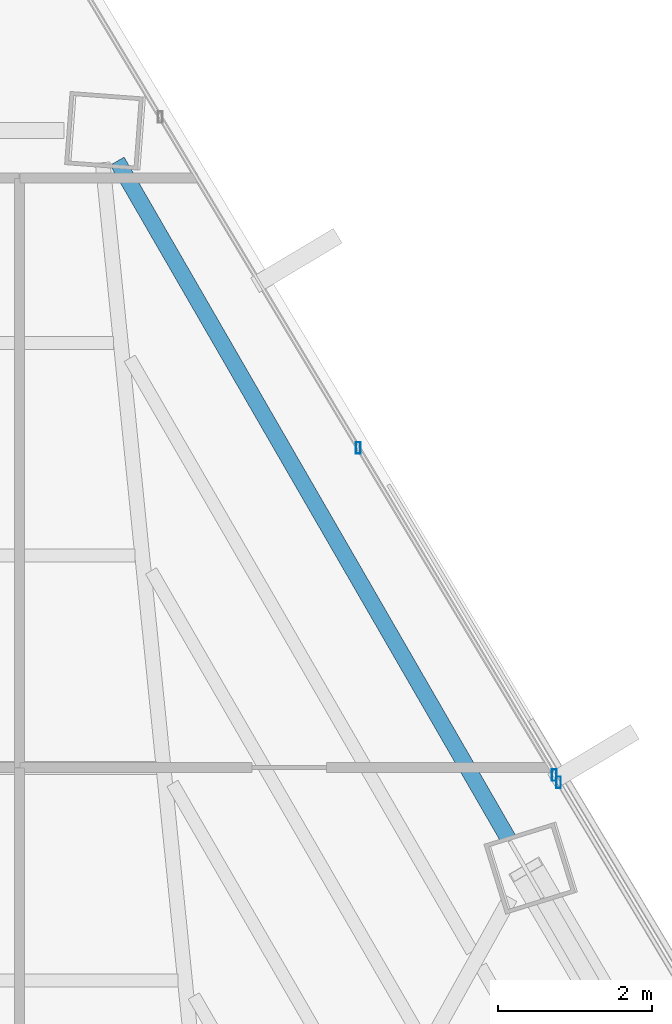
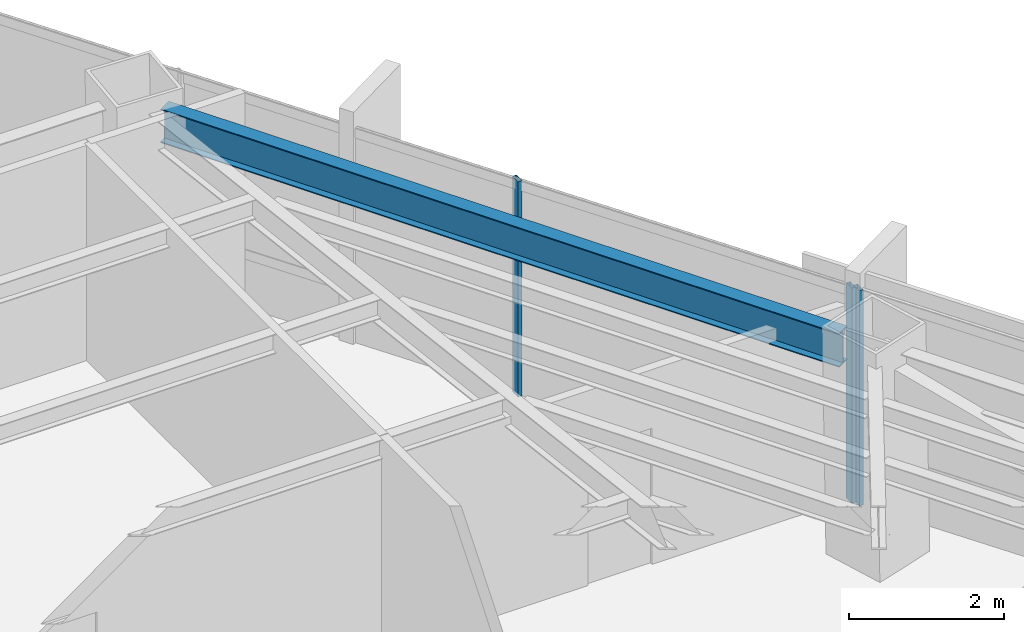
# One storey, part 32 of 41: 3 members, 1 beam, 2 elements without a shape of their own.
"""IFC4 building model written with IfcOpenShell, lengths in metres."""

from ifc_helpers import new_model, si_unit, direction, frame, origin, origin_2d, place, context, subcontext, project, spatial, hollow_rectangle, i_section, extrude, source, transform, mapped, material, material_profile, profile_set, type_object, type_shapes, element, aggregate, save


model = new_model("IFC4")

# Units and contexts
model_context = context("Model", 3, precision=1e-05, world=origin(), true_north=direction((0.0, 1.0)))
body_context = subcontext(model_context, "Body", "Model", "MODEL_VIEW")
ifc_project = project(units=[si_unit("LENGTHUNIT", "METRE"), si_unit("AREAUNIT", "SQUARE_METRE"), si_unit("VOLUMEUNIT", "CUBIC_METRE"), si_unit("PLANEANGLEUNIT", "RADIAN"), si_unit("MASSUNIT", "GRAM", prefix="KILO")], contexts=[model_context])

# Site, building, storey
site_placement = place(None, origin())
site = spatial("IfcSite", under=ifc_project, at=site_placement, CompositionType="ELEMENT")
building_placement = place(site_placement, origin())
building = spatial("IfcBuilding", under=site, at=building_placement, Name="Caelisora Broadcast Tower", CompositionType="ELEMENT")
storey_placement = place(building_placement, frame((0.0, 0.0, 169.449951171875)))
storey = spatial("IfcBuildingStorey", under=building, at=storey_placement, Name="L44", CompositionType="ELEMENT", Elevation=169.449951171875)

# Beam
ifc_material_1 = material(Name="Steel Grade 350 (AS/NZS 3679.1)", Category="steel")
ifc_material_profile_1 = material_profile(ifc_material_1, i_section(OverallWidth=0.208984375, OverallDepth=0.532958984375, WebThickness=0.01025390625, FlangeThickness=0.015625, at=origin_2d()), Name="Steel Grade 350 (AS/NZS 3679.1)")
ifc_profile_set_1 = profile_set([ifc_material_profile_1], Name="Steel Grade 350 (AS/NZS 3679.1)")
beam_type = type_object("IfcBeamType", Name="PG05", PredefinedType="BEAM", material=ifc_profile_set_1)
shared_shape_1 = source(origin(), body_context, "Body", "SweptSolid", [
    extrude(i_section(OverallWidth=0.208984375, OverallDepth=0.532958984375, WebThickness=0.01025390625, FlangeThickness=0.015625, at=origin_2d()), origin(), (0.0, 0.0, 1.0), 10.14111328125),
])
type_shapes(beam_type, [shared_shape_1])
beam_placement = place(storey_placement, frame((49.136474609375, 37.34716796875, 3.133544921875), z_axis=(-0.499999616612, 0.866025625133, 0.0), x_axis=(-0.866025625133, -0.499999616612, 0.0)))
element("IfcBeam", 1, at=beam_placement, inside=storey, type_object=beam_type, Name="L44 beam PG05", PredefinedType="BEAM", context=body_context, shape_type="MappedRepresentation", body=[
    mapped(shared_shape_1, transform((0.0, 0.0, 0.0), scale=1.0)),
])

# Curtain wall, members
ifc_material_2 = material(Name="Unitised Aluminium and Low-E Glass Curtain Wall", Category="glass")
curtain_wall_type_1 = type_object("IfcCurtainWallType", Name="CW-Z3", PredefinedType="NOTDEFINED", material=ifc_material_2)
curtain_wall_1_placement = place(storey_placement, origin())
curtain_wall_1 = element("IfcCurtainWall", 2, at=curtain_wall_1_placement, inside=storey, type_object=curtain_wall_type_1, Name="L44 curtain wall CW-Z3", PredefinedType="NOTDEFINED")
ifc_material_3 = material(Name="Aluminium 6063-T6 Anodised Terracotta Bronze", Category="aluminium")
ifc_material_profile_2 = material_profile(ifc_material_3, hollow_rectangle(XDim=0.06005859375, YDim=0.14990234375, WallThickness=0.00341796875, at=origin_2d()), Name="Aluminium 6063-T6 Anodised Terracotta Bronze")
ifc_profile_set_2 = profile_set([ifc_material_profile_2], Name="Aluminium 6063-T6 Anodised Terracotta Bronze")
member_type = type_object("IfcMemberType", Name="CWM-03", PredefinedType="MULLION", material=ifc_profile_set_2)
shared_shape_2 = source(origin(), body_context, "Body", "SweptSolid", [
    extrude(hollow_rectangle(XDim=0.06005859375, YDim=0.14990234375, WallThickness=0.00341796875, at=origin_2d()), origin(), (0.0, 0.0, 1.0), 3.400146484375),
])
type_shapes(member_type, [shared_shape_2])
member_1_placement = place(storey_placement, frame((47.1904296875, 42.414794921875, 0.0), z_axis=(0.0, 0.0, 1.0), x_axis=(1.0, 0.0, 0.0)))
member_1 = element("IfcMember", 3, at=member_1_placement, type_object=member_type, Name="L44-CW-B01 mullion #2", PredefinedType="MULLION", context=body_context, shape_type="MappedRepresentation", body=[
    mapped(shared_shape_2, transform((0.0, 0.0, 0.0), scale=1.0)),
])
member_2_placement = place(storey_placement, frame((49.730712890625, 38.171875, 0.0), z_axis=(0.0, 0.0, 1.0), x_axis=(1.0, 0.0, 0.0)))
member_2 = element("IfcMember", 4, at=member_2_placement, type_object=member_type, Name="L44-CW-B01 mullion #3", PredefinedType="MULLION", context=body_context, shape_type="MappedRepresentation", body=[
    mapped(shared_shape_2, transform((0.0, 0.0, 0.0), scale=1.0)),
])
aggregate(curtain_wall_1, [member_1, member_2])

# Curtain wall, member
ifc_material_4 = material(Name="Unitised Aluminium Insulated Shadow-Box Spandrel Curtain Wall", Category="aluminium")
curtain_wall_type_2 = type_object("IfcCurtainWallType", Name="CW-SP2", PredefinedType="NOTDEFINED", material=ifc_material_4)
curtain_wall_2_placement = place(storey_placement, origin())
curtain_wall_2 = element("IfcCurtainWall", 5, at=curtain_wall_2_placement, inside=storey, type_object=curtain_wall_type_2, Name="L44 curtain wall CW-SP2", PredefinedType="NOTDEFINED")
member_3_placement = place(storey_placement, frame((49.787109375, 38.07763671875, 0.0), z_axis=(0.0, 0.0, 1.0), x_axis=(1.0, 0.0, 0.0)))
member_3 = element("IfcMember", 6, at=member_3_placement, type_object=member_type, Name="L44-CW-B02 mullion #0", PredefinedType="MULLION", context=body_context, shape_type="MappedRepresentation", body=[
    mapped(shared_shape_2, transform((0.0, 0.0, 0.0), scale=1.0)),
])
aggregate(curtain_wall_2, [member_3])

save(model, "model.ifc")
